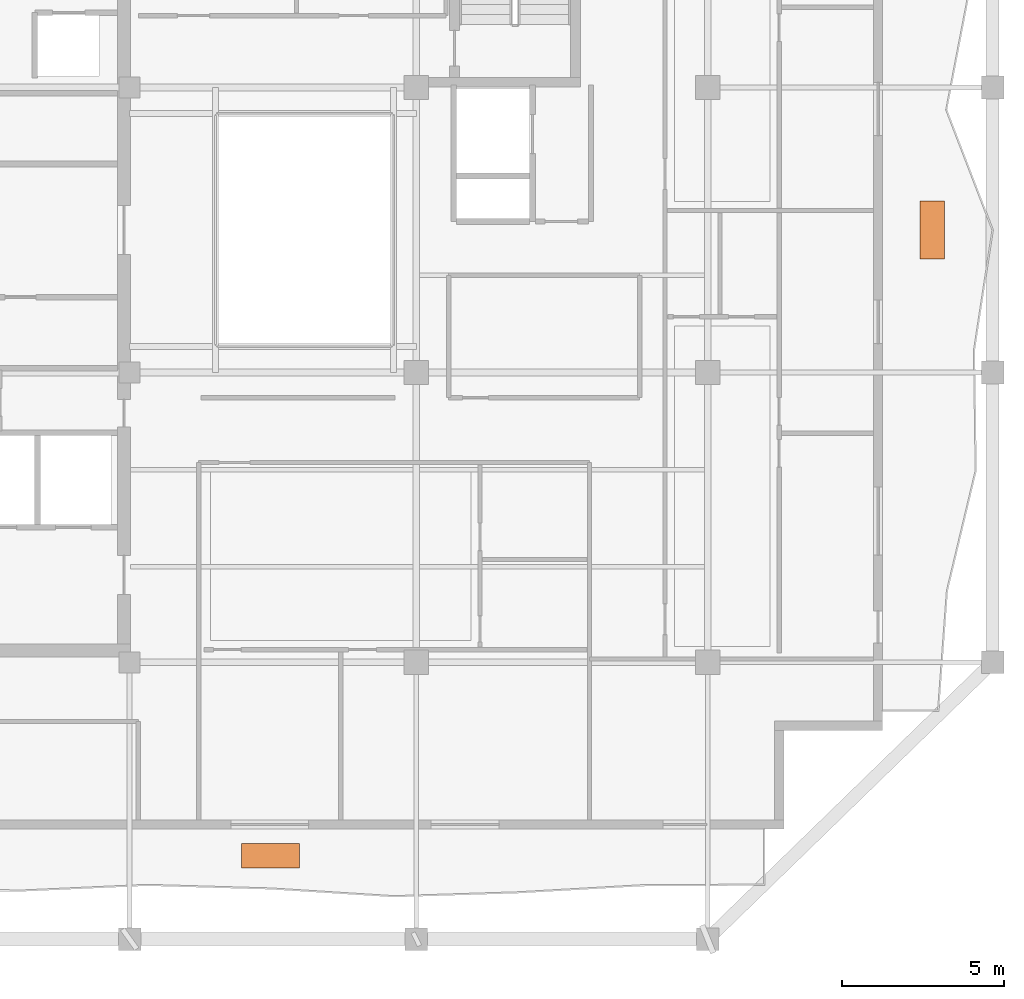
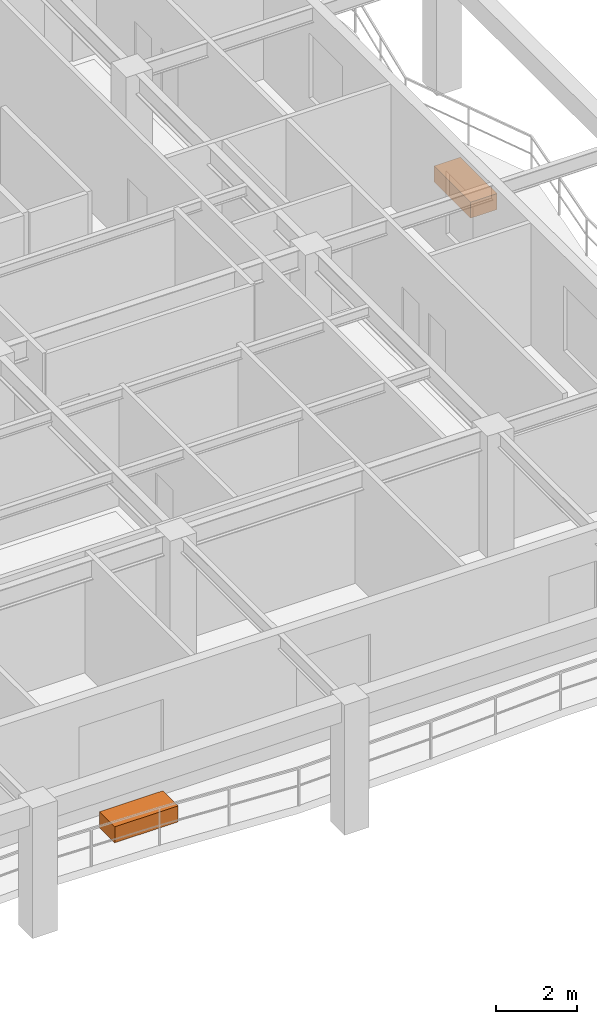
# One storey, part 10 of 10: 2 proxies.
"""IFC4 building model written with IfcOpenShell, lengths in metres."""

import ifcopenshell
import ifcopenshell.guid

model = None  # the IFC model being written
_history = None  # IfcOwnerHistory: only IFC2X3 demands one
_inside = {}  # id of a spatial element -> (the spatial element, [elements in it])
_under = {}  # id of a project, library or spatial element -> (it, [spatial elements below it])
_declared = {}  # id of a project -> (the project, [libraries it declares])
_typed = {}  # id of a type object -> (the type object, [elements of that type])
_made_of = {}  # id of a material, layer set ... -> (it, [elements and type objects made of it])


def new_model(schema):
    """Start an empty IFC model of exactly this schema.

    Asked for "IFC4X3", IfcOpenShell would pick the latest addendum, in which some entities
    have other attributes; the version numbers below select the first issue.
    IFC2X3 requires an IfcOwnerHistory on every rooted entity: one is made here for all.
    """
    global model, _history
    if schema == "IFC4X3":
        model = ifcopenshell.file(schema_version=(4, 3, 0, 0))
    else:
        model = ifcopenshell.file(schema=schema)
    _inside.clear()
    _under.clear()
    _declared.clear()
    _typed.clear()
    _made_of.clear()
    _history = None
    if model.schema == "IFC2X3":
        org = make("IfcOrganization", Name="unknown")
        user = make(
            "IfcPersonAndOrganization",
            ThePerson=make("IfcPerson", FamilyName="unknown"),
            TheOrganization=org,
        )
        app = make(
            "IfcApplication",
            ApplicationDeveloper=org,
            Version="unknown",
            ApplicationFullName="unknown",
            ApplicationIdentifier="unknown",
        )
        _history = make(
            "IfcOwnerHistory",
            OwningUser=user,
            OwningApplication=app,
            ChangeAction="ADDED",
            CreationDate=0,
        )
    return model


def make(cls, **values):
    """One entity of the class cls with the attributes given. An attribute that is None is left unset."""
    return model.create_entity(
        cls, **{name: value for name, value in values.items() if value is not None}
    )


def rooted(cls, **values):
    """An entity with a GlobalId (a new one), such as an element, a storey or a relation."""
    return make(cls, GlobalId=ifcopenshell.guid.new(), OwnerHistory=_history, **values)


def si_unit(unit_type, name, prefix=None):
    """IfcSIUnit, for example si_unit("LENGTHUNIT", "METRE", prefix="MILLI")."""
    return make("IfcSIUnit", UnitType=unit_type, Prefix=prefix, Name=name)


def assignment(units):
    """IfcUnitAssignment: the units of a project."""
    return None if units is None else make("IfcUnitAssignment", Units=units)


def point(xyz):
    """IfcCartesianPoint."""
    return None if xyz is None else make("IfcCartesianPoint", Coordinates=xyz)


def direction(xyz):
    """IfcDirection."""
    return None if xyz is None else make("IfcDirection", DirectionRatios=xyz)


def frame(location, z_axis=None, x_axis=None):
    """IfcAxis2Placement3D, a coordinate frame: its origin and axes. An axis left out is left unset."""
    return make(
        "IfcAxis2Placement3D",
        Location=point(location),
        Axis=direction(z_axis),
        RefDirection=direction(x_axis),
    )


def frame_2d(location, x_axis=None):
    """IfcAxis2Placement2D, a coordinate frame in the plane: its origin and x axis."""
    return make(
        "IfcAxis2Placement2D", Location=point(location), RefDirection=direction(x_axis)
    )


def origin():
    """The frame at (0, 0, 0) with its axes left unset."""
    return frame((0.0, 0.0, 0.0))


def origin_2d():
    """The frame at (0, 0) in the plane with its x axis left unset."""
    return frame_2d((0.0, 0.0))


def place(relative_to, where):
    """IfcLocalPlacement: puts the frame where relative to a parent placement (None: the world)."""
    return make(
        "IfcLocalPlacement", PlacementRelTo=relative_to, RelativePlacement=where
    )


def context(
    kind, dimensions, precision=None, world=None, true_north=None, identifier=None
):
    """IfcGeometricRepresentationContext, for example the 3D "Model" context."""
    return make(
        "IfcGeometricRepresentationContext",
        ContextIdentifier=identifier,
        ContextType=kind,
        CoordinateSpaceDimension=dimensions,
        Precision=precision,
        WorldCoordinateSystem=world,
        TrueNorth=true_north,
    )


def subcontext(parent, identifier, kind, view, scale=None):
    """IfcGeometricRepresentationSubContext, for example "Body" below "Model"."""
    return make(
        "IfcGeometricRepresentationSubContext",
        ContextIdentifier=identifier,
        ContextType=kind,
        ParentContext=parent,
        TargetScale=scale,
        TargetView=view,
    )


def project(units=None, contexts=None):
    """IfcProject with its units and contexts."""
    return rooted(
        "IfcProject",
        Name="project",
        RepresentationContexts=contexts,
        UnitsInContext=assignment(units),
    )


def spatial(cls, under=None, at=None, **own):
    """A site, building, storey or space (cls), placed at a placement, below another one or the project."""
    s = rooted(cls, ObjectPlacement=at, **own)
    if under is not None:
        _under.setdefault(under.id(), (under, []))[1].append(s)
    return s


def profile(cls, at=None, kind="AREA", **sizes):
    """A parametric profile (cls). Its sizes go by their IFC names, for example OverallWidth=200.0."""
    return make(cls, ProfileType=kind, Position=at, **sizes)


def rectangle(**sizes):
    """IfcRectangleProfileDef."""
    return profile("IfcRectangleProfileDef", **sizes)


def extrude(swept, where, along, depth):
    """IfcExtrudedAreaSolid: the profile swept, set in the frame where, extruded along a direction by depth."""
    return make(
        "IfcExtrudedAreaSolid",
        SweptArea=swept,
        Position=where,
        ExtrudedDirection=direction(along),
        Depth=depth,
    )


def shape(context_of_items, identifier, shape_type, items):
    """IfcShapeRepresentation: the items that make up one representation, for example the "Body"."""
    return make(
        "IfcShapeRepresentation",
        ContextOfItems=context_of_items,
        RepresentationIdentifier=identifier,
        RepresentationType=shape_type,
        Items=items,
    )


def material(Name=None, Category=None):
    """IfcMaterial."""
    return make("IfcMaterial", Name=Name, Category=Category)


def made_of(thing, what):
    """Note that an element or type object is made of a material, layer set ...; save() writes the relation."""
    if what is not None:
        _made_of.setdefault(what.id(), (what, []))[1].append(thing)
    return thing


def type_object(cls, material=None, **own):
    """A type object (cls), such as IfcWallType, which elements share."""
    return made_of(rooted(cls, **own), material)


def element(
    cls,
    number,
    at=None,
    inside=None,
    cuts=None,
    type_object=None,
    material=None,
    context=None,
    identifier="Body",
    shape_type=None,
    held_by="IfcProductDefinitionShape",
    body=None,
    shapes=None,
    **own,
):
    """One element of the class cls, such as IfcWall. Its Tag is "e" and its number.

    at: its placement. inside: the storey or other place that contains it. cuts: it is an
    opening in that element (IfcRelVoidsElement). A single representation is given by context,
    identifier, shape_type and body (its items); several are given by shapes. held_by: the class
    of the entity that holds the representations. save() writes the other relations.
    """
    e = rooted(cls, Tag="e%d" % number, ObjectPlacement=at, **own)
    if body is not None:
        shapes = [shape(context, identifier, shape_type, body)]
    if shapes is not None:
        e.Representation = make(held_by, Representations=shapes)
    if inside is not None:
        _inside.setdefault(inside.id(), (inside, []))[1].append(e)
    if cuts is not None:
        rooted(
            "IfcRelVoidsElement", RelatingBuildingElement=cuts, RelatedOpeningElement=e
        )
    if type_object is not None:
        _typed.setdefault(type_object.id(), (type_object, []))[1].append(e)
    return made_of(e, material)


def aggregate(whole, parts):
    """IfcRelAggregates: a whole, such as a stair, and the parts it consists of."""
    return rooted("IfcRelAggregates", RelatingObject=whole, RelatedObjects=parts)


def save(model, path):
    """Write the relations noted so far, then the file.

    IfcRelAggregates (storeys below a building ...), IfcRelContainedInSpatialStructure (elements
    in a storey), IfcRelDefinesByType, IfcRelAssociatesMaterial and IfcRelDeclares: one each for
    every whole, place, type object, material and project.
    """
    for whole, parts in _under.values():
        aggregate(whole, parts)
    for where, things in _inside.values():
        rooted(
            "IfcRelContainedInSpatialStructure",
            RelatedElements=things,
            RelatingStructure=where,
        )
    for kind, things in _typed.values():
        rooted("IfcRelDefinesByType", RelatedObjects=things, RelatingType=kind)
    for what, things in _made_of.values():
        rooted("IfcRelAssociatesMaterial", RelatedObjects=things, RelatingMaterial=what)
    for by, libraries in _declared.values():
        rooted("IfcRelDeclares", RelatingContext=by, RelatedDefinitions=libraries)
    model.write(path)


model = new_model("IFC4")

# Units and contexts
model_context = context("Model", 3, precision=1e-05, world=origin(), true_north=direction((0.0, 1.0)))
body_context = subcontext(model_context, "Body", "Model", "MODEL_VIEW")
ifc_project = project(units=[si_unit("LENGTHUNIT", "METRE"), si_unit("AREAUNIT", "SQUARE_METRE"), si_unit("VOLUMEUNIT", "CUBIC_METRE"), si_unit("PLANEANGLEUNIT", "RADIAN"), si_unit("MASSUNIT", "GRAM", prefix="KILO")], contexts=[model_context])

# Site, building, storey
site_placement = place(None, origin())
site = spatial("IfcSite", under=ifc_project, at=site_placement, CompositionType="ELEMENT")
building_placement = place(site_placement, origin())
building = spatial("IfcBuilding", under=site, at=building_placement, Name="Kundavana Baori Tower", CompositionType="ELEMENT")
storey_placement = place(building_placement, frame((0.0, 0.0, 299.89990234375)))
storey = spatial("IfcBuildingStorey", under=building, at=storey_placement, Name="L74", CompositionType="ELEMENT", Elevation=299.89990234375)

# Proxies
ifc_material = material(Name="Red-Buff Dholpur Sandstone Cladding on Concrete C40/50", Category="masonry")
building_element_proxy_type = type_object("IfcBuildingElementProxyType", Name="PRX-PLANTER-1800", PredefinedType="USERDEFINED", material=ifc_material)
for number, where, z_axis, x_axis, name in (
    (1, (29.300048828125, 9.27197265625, 0.0), (0.0, 0.0, 1.0), (1.0, 0.0, 0.0), "L74 Dholpur Stone Structural Tree Planter S"),
    (2, (49.72998046875, 28.60009765625, 0.0), (0.0, 0.0, 1.0), (0.0, 1.0, 0.0), "L74 Dholpur Stone Structural Tree Planter E"),
):
    element("IfcBuildingElementProxy", number, at=place(storey_placement, frame(where, z_axis=z_axis, x_axis=x_axis)), inside=storey, type_object=building_element_proxy_type, Name=name, ObjectType="PLANTER", PredefinedType="USERDEFINED", context=body_context, shape_type="SweptSolid", body=[
        extrude(rectangle(XDim=1.800048828125, YDim=0.75, at=origin_2d()), origin(), (0.0, 0.0, 1.0), 0.47998046875),
    ])

save(model, "model.ifc")
